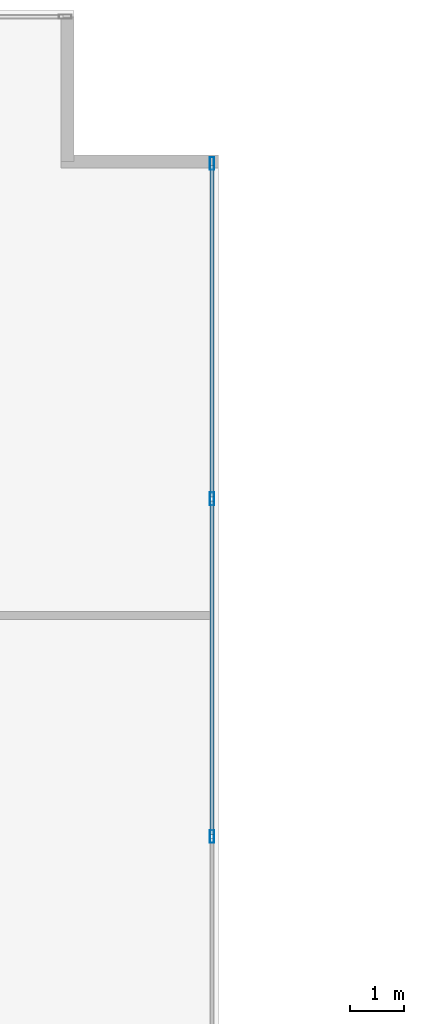
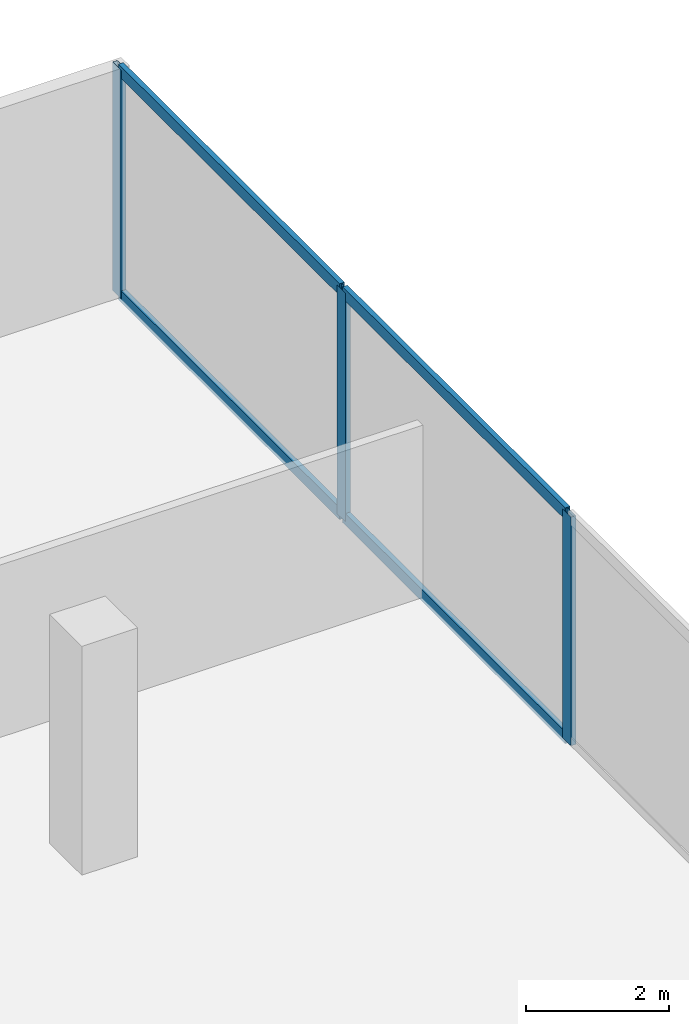
# One storey, part 15 of 34: 7 members, 1 element without a shape of its own.
"""IFC4 building model written with IfcOpenShell, lengths in metres."""

from ifc_helpers import new_model, si_unit, direction, frame, origin, origin_2d, place, context, subcontext, project, spatial, hollow_rectangle, extrude, material, material_profile, profile_set, type_object, element, aggregate, save


model = new_model("IFC4")

# Units and contexts
model_context = context("Model", 3, precision=1e-05, world=origin(), true_north=direction((0.0, 1.0)))
body_context = subcontext(model_context, "Body", "Model", "MODEL_VIEW")
ifc_project = project(units=[si_unit("LENGTHUNIT", "METRE"), si_unit("AREAUNIT", "SQUARE_METRE"), si_unit("VOLUMEUNIT", "CUBIC_METRE"), si_unit("PLANEANGLEUNIT", "RADIAN"), si_unit("MASSUNIT", "GRAM", prefix="KILO")], contexts=[model_context])

# Site, building, storey
site_placement = place(None, origin())
site = spatial("IfcSite", under=ifc_project, at=site_placement, CompositionType="ELEMENT")
building_placement = place(site_placement, origin())
building = spatial("IfcBuilding", under=site, at=building_placement, Name="Cobrela Telecom Tower", CompositionType="ELEMENT")
storey_placement = place(building_placement, frame((0.0, 0.0, 5.25)))
storey = spatial("IfcBuildingStorey", under=building, at=storey_placement, Name="L01", CompositionType="ELEMENT", Elevation=5.25)

# Curtain wall, members
ifc_material = material(Name="Anodized Bronze Aluminium 6063-T6", Category="aluminium")
curtain_wall_type = type_object("IfcCurtainWallType", Name="CW-SYS-CONC", PredefinedType="USERDEFINED", material=ifc_material)
curtain_wall_placement = place(storey_placement, origin())
curtain_wall = element("IfcCurtainWall", 1, at=curtain_wall_placement, inside=storey, type_object=curtain_wall_type, Name="L01 Unitised Bronze Curtain Wall 10", ObjectType="UNITISED CURTAIN WALL", PredefinedType="USERDEFINED")
ifc_material_profile_1 = material_profile(ifc_material, hollow_rectangle(XDim=0.080078125, YDim=0.239990234375, WallThickness=0.0048828125, at=origin_2d()), Name="ALU 80x240x5")
ifc_profile_set_1 = profile_set([ifc_material_profile_1], Name="Anodized Bronze Aluminium 6063-T6")
member_type_1 = type_object("IfcMemberType", Name="CW-SYS-CONC-MUL", PredefinedType="MULLION", material=ifc_profile_set_1)
member_1_placement = place(storey_placement, frame((50.280029296875, 47.5400390625, 0.0), z_axis=(0.0, 0.0, 1.0), x_axis=(1.0, 0.0, 0.0)))
member_1 = element("IfcMember", 2, at=member_1_placement, type_object=member_type_1, Name="CW-CONC mullion 1", PredefinedType="MULLION", context=body_context, shape_type="SweptSolid", body=[
    extrude(hollow_rectangle(XDim=0.080078125, YDim=0.239990234375, WallThickness=0.0048828125, at=origin_2d()), origin(), (0.0, 0.0, 1.0), 3.89990234375),
])
member_2_placement = place(storey_placement, frame((50.280029296875, 41.280029296875, 0.0), z_axis=(0.0, 0.0, 1.0), x_axis=(1.0, 0.0, 0.0)))
member_2 = element("IfcMember", 3, at=member_2_placement, type_object=member_type_1, Name="CW-CONC mullion 2", PredefinedType="MULLION", context=body_context, shape_type="SweptSolid", body=[
    extrude(hollow_rectangle(XDim=0.080078125, YDim=0.239990234375, WallThickness=0.0048828125, at=origin_2d()), origin(), (0.0, 0.0, 1.0), 3.89990234375),
])
member_3_placement = place(storey_placement, frame((50.280029296875, 34.97998046875, 0.0), z_axis=(0.0, 0.0, 1.0), x_axis=(1.0, 0.0, 0.0)))
member_3 = element("IfcMember", 4, at=member_3_placement, type_object=member_type_1, Name="CW-CONC mullion 3", PredefinedType="MULLION", context=body_context, shape_type="SweptSolid", body=[
    extrude(hollow_rectangle(XDim=0.080078125, YDim=0.239990234375, WallThickness=0.0048828125, at=origin_2d()), origin(), (0.0, 0.0, 1.0), 3.89990234375),
])
ifc_material_profile_2 = material_profile(ifc_material, hollow_rectangle(XDim=0.080078125, YDim=0.199951171875, WallThickness=0.00390625, at=origin_2d()), Name="ALU 80x200x4")
ifc_profile_set_2 = profile_set([ifc_material_profile_2], Name="Anodized Bronze Aluminium 6063-T6")
member_type_2 = type_object("IfcMemberType", Name="CW-SYS-CONC-TRN", PredefinedType="USERDEFINED", material=ifc_profile_set_2)
member_4_placement = place(storey_placement, frame((50.280029296875, 47.5, 0.0400390625), z_axis=(0.0, -1.0, 0.0), x_axis=(1.0, 0.0, 0.0)))
member_4 = element("IfcMember", 5, at=member_4_placement, type_object=member_type_2, Name="CW-CONC transom 1.1", ObjectType="TRANSOM", PredefinedType="USERDEFINED", context=body_context, shape_type="SweptSolid", body=[
    extrude(hollow_rectangle(XDim=0.080078125, YDim=0.199951171875, WallThickness=0.00390625, at=origin_2d()), origin(), (0.0, 0.0, 1.0), 6.179931640625),
])
member_5_placement = place(storey_placement, frame((50.280029296875, 47.5, 3.860107421875), z_axis=(0.0, -1.0, 0.0), x_axis=(1.0, 0.0, 0.0)))
member_5 = element("IfcMember", 6, at=member_5_placement, type_object=member_type_2, Name="CW-CONC transom 1.2", ObjectType="TRANSOM", PredefinedType="USERDEFINED", context=body_context, shape_type="SweptSolid", body=[
    extrude(hollow_rectangle(XDim=0.080078125, YDim=0.199951171875, WallThickness=0.00390625, at=origin_2d()), origin(), (0.0, 0.0, 1.0), 6.179931640625),
])
member_6_placement = place(storey_placement, frame((50.280029296875, 41.239990234375, 0.0400390625), z_axis=(0.0, -1.0, 0.0), x_axis=(1.0, 0.0, 0.0)))
member_6 = element("IfcMember", 7, at=member_6_placement, type_object=member_type_2, Name="CW-CONC transom 2.1", ObjectType="TRANSOM", PredefinedType="USERDEFINED", context=body_context, shape_type="SweptSolid", body=[
    extrude(hollow_rectangle(XDim=0.080078125, YDim=0.199951171875, WallThickness=0.00390625, at=origin_2d()), origin(), (0.0, 0.0, 1.0), 6.219970703125),
])
member_7_placement = place(storey_placement, frame((50.280029296875, 41.239990234375, 3.860107421875), z_axis=(0.0, -1.0, 0.0), x_axis=(1.0, 0.0, 0.0)))
member_7 = element("IfcMember", 8, at=member_7_placement, type_object=member_type_2, Name="CW-CONC transom 2.2", ObjectType="TRANSOM", PredefinedType="USERDEFINED", context=body_context, shape_type="SweptSolid", body=[
    extrude(hollow_rectangle(XDim=0.080078125, YDim=0.199951171875, WallThickness=0.00390625, at=origin_2d()), origin(), (0.0, 0.0, 1.0), 6.219970703125),
])
aggregate(curtain_wall, [member_1, member_2, member_3, member_4, member_5, member_6, member_7])

save(model, "model.ifc")
